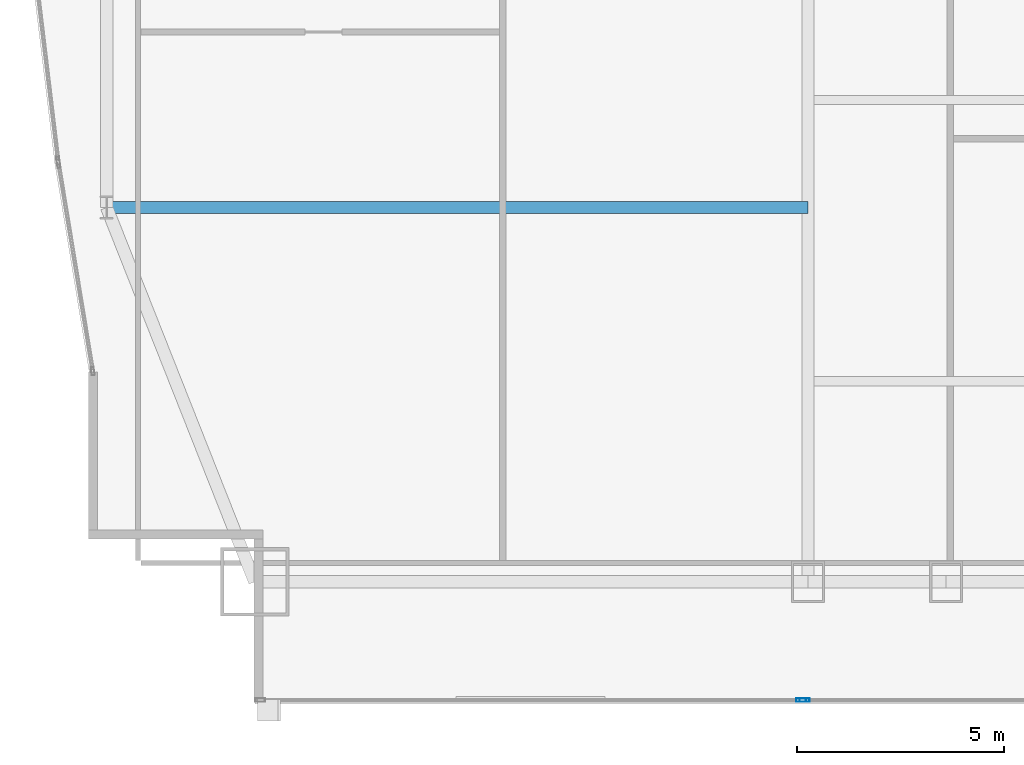
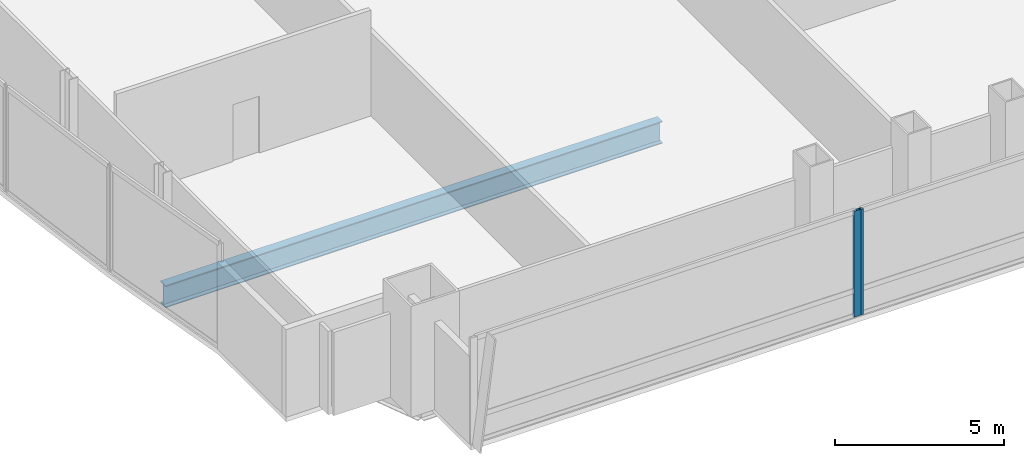
# One storey, part 7 of 32: 2 members, 1 beam, 2 elements without a shape of their own.
"""IFC4 building model written with IfcOpenShell, lengths in metres."""

from ifc_helpers import new_model, si_unit, direction, frame, origin, origin_2d, place, context, subcontext, project, spatial, hollow_rectangle, i_section, extrude, material, material_profile, profile_set, type_object, element, aggregate, save


model = new_model("IFC4")

# Units and contexts
model_context = context("Model", 3, precision=1e-05, world=origin(), true_north=direction((0.0, 1.0)))
body_context = subcontext(model_context, "Body", "Model", "MODEL_VIEW")
ifc_project = project(units=[si_unit("LENGTHUNIT", "METRE"), si_unit("AREAUNIT", "SQUARE_METRE"), si_unit("VOLUMEUNIT", "CUBIC_METRE"), si_unit("PLANEANGLEUNIT", "RADIAN"), si_unit("MASSUNIT", "GRAM", prefix="KILO")], contexts=[model_context])

# Site, building, storey
site_placement = place(None, origin())
site = spatial("IfcSite", under=ifc_project, at=site_placement, CompositionType="ELEMENT")
building_placement = place(site_placement, origin())
building = spatial("IfcBuilding", under=site, at=building_placement, Name="Khoronbel Lancet Exchange", CompositionType="ELEMENT")
storey_placement = place(building_placement, frame((0.0, 0.0, 65.800048828125)))
storey = spatial("IfcBuildingStorey", under=building, at=storey_placement, Name="L15", CompositionType="ELEMENT", Elevation=65.800048828125)

# Beam
ifc_material_1 = material(Name="Steel S355", Category="steel")
ifc_material_profile_1 = material_profile(ifc_material_1, i_section(OverallWidth=0.300048828125, OverallDepth=0.800048828125, WebThickness=0.017578125, FlangeThickness=0.032958984375, at=origin_2d()), Name="HEB 800")
ifc_profile_set_1 = profile_set([ifc_material_profile_1], Name="Steel S355")
beam_type = type_object("IfcBeamType", Name="BM-BG2", PredefinedType="BEAM", material=ifc_profile_set_1)
beam_placement = place(storey_placement, frame((1.27001953125, 19.199951171875, -0.580078125), z_axis=(1.0, 0.0, 0.0), x_axis=(0.0, 1.0, 0.0)))
element("IfcBeam", 1, at=beam_placement, inside=storey, type_object=beam_type, Name="Level L15 west lens tie girder LG1W", PredefinedType="BEAM", context=body_context, shape_type="SweptSolid", body=[
    extrude(i_section(OverallWidth=0.300048828125, OverallDepth=0.800048828125, WebThickness=0.017578125, FlangeThickness=0.032958984375, at=origin_2d()), origin(), (0.0, 0.0, 1.0), 16.955078125),
])

# Curtain wall, member
ifc_material_2 = material(Name="Low-E Solar Control Insulating Glass", Category="glass")
curtain_wall_type = type_object("IfcCurtainWallType", Name="CW-1", PredefinedType="NOTDEFINED", material=ifc_material_2)
curtain_wall_1_placement = place(storey_placement, origin())
curtain_wall_1 = element("IfcCurtainWall", 2, at=curtain_wall_1_placement, inside=storey, type_object=curtain_wall_type, Name="Unitised curtain wall CW-L15-SWV", PredefinedType="NOTDEFINED")
ifc_material_3 = material(Name="Bronze-Anodised Aluminium 6063-T6", Category="aluminium")
ifc_material_profile_2 = material_profile(ifc_material_3, hollow_rectangle(XDim=0.0849609375, YDim=0.239990234375, WallThickness=0.006103515625, at=origin_2d()), Name="ALU MULLION 85x240")
ifc_profile_set_2 = profile_set([ifc_material_profile_2], Name="Bronze-Anodised Aluminium 6063-T6")
member_type = type_object("IfcMemberType", Name="MEM-CWM1", PredefinedType="MULLION", material=ifc_profile_set_2)
member_1_placement = place(storey_placement, frame((18.0576171875, 7.2900390625, 0.0), z_axis=(0.0, 0.0, 1.0), x_axis=(0.0, 1.0, 0.0)))
member_1 = element("IfcMember", 3, at=member_1_placement, type_object=member_type, Name="CW1 mullion 2", PredefinedType="MULLION", context=body_context, shape_type="SweptSolid", body=[
    extrude(hollow_rectangle(XDim=0.0849609375, YDim=0.239990234375, WallThickness=0.006103515625, at=origin_2d()), origin(), (0.0, 0.0, 1.0), 3.820068359375),
])
aggregate(curtain_wall_1, [member_1])

curtain_wall_2_placement = place(storey_placement, origin())
curtain_wall_2 = element("IfcCurtainWall", 4, at=curtain_wall_2_placement, inside=storey, type_object=curtain_wall_type, Name="Unitised curtain wall CW-L15-SWB", PredefinedType="NOTDEFINED")
member_2_placement = place(storey_placement, frame((18.142578125, 7.2900390625, 0.0), z_axis=(0.0, 0.0, 1.0), x_axis=(0.0, 1.0, 0.0)))
member_2 = element("IfcMember", 5, at=member_2_placement, type_object=member_type, Name="CW1 mullion 1", PredefinedType="MULLION", context=body_context, shape_type="SweptSolid", body=[
    extrude(hollow_rectangle(XDim=0.0849609375, YDim=0.239990234375, WallThickness=0.006103515625, at=origin_2d()), origin(), (0.0, 0.0, 1.0), 3.820068359375),
])
aggregate(curtain_wall_2, [member_2])

save(model, "model.ifc")
